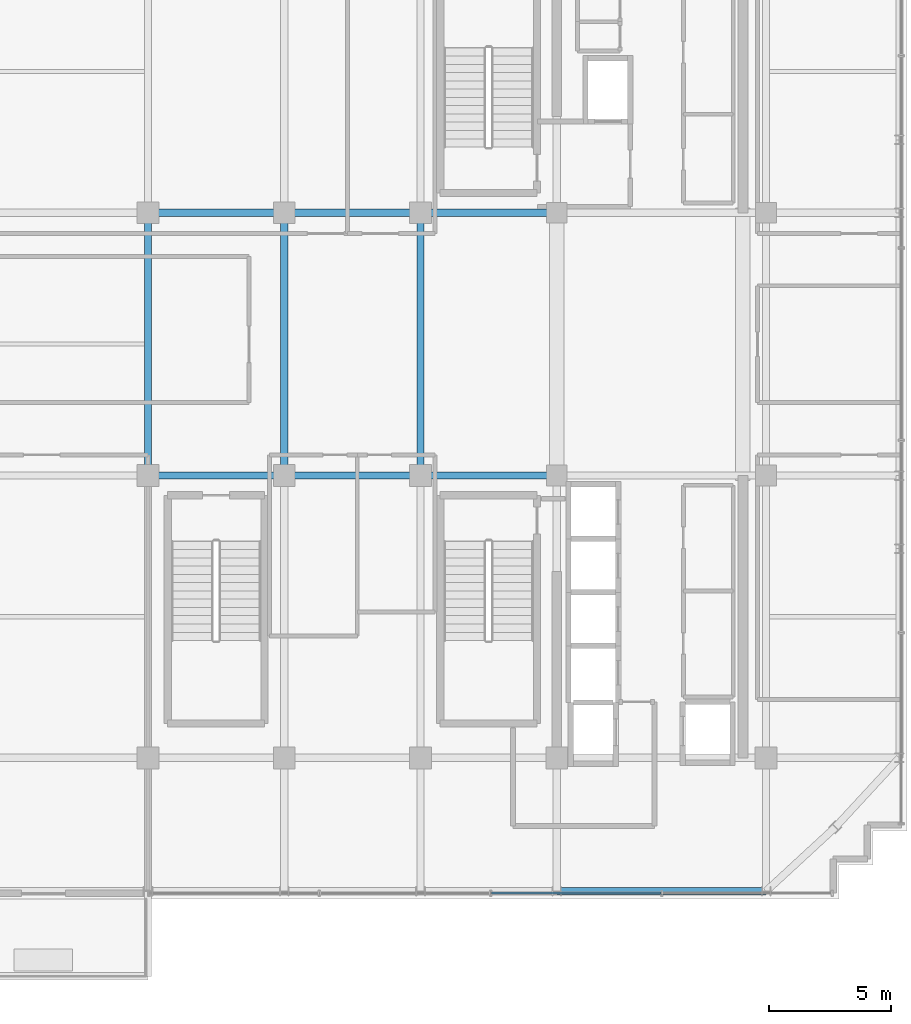
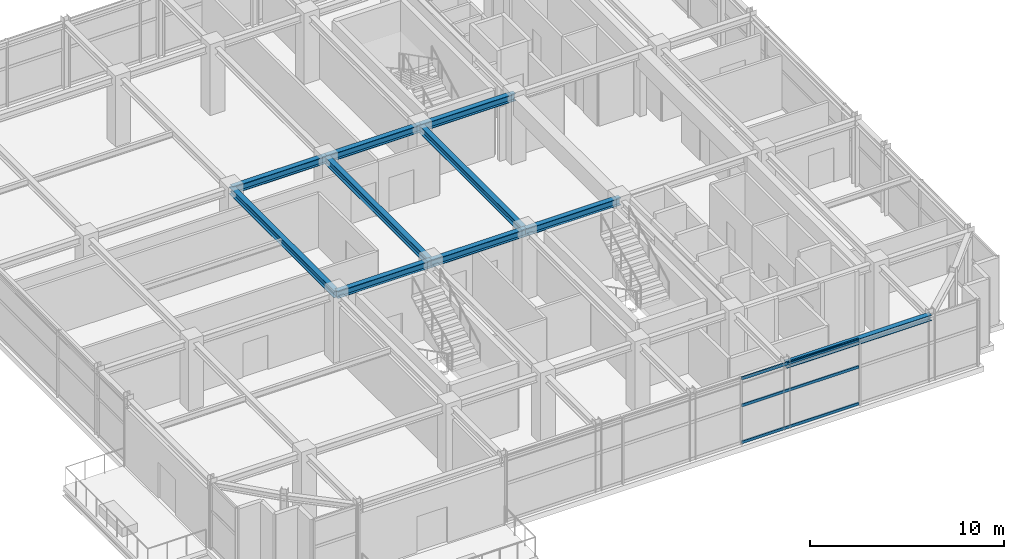
# One storey, part 9 of 25: 10 beams, 3 members, 1 element without a shape of its own.
"""IFC4 building model written with IfcOpenShell, lengths in metres."""

from ifc_helpers import new_model, si_unit, direction, frame, origin, origin_2d, place, context, subcontext, project, spatial, hollow_rectangle, i_section, extrude, source, transform, mapped, material, material_profile, profile_set, type_object, element, aggregate, save


model = new_model("IFC4")

# Units and contexts
model_context = context("Model", 3, precision=1e-05, world=origin(), true_north=direction((0.0, 1.0)))
body_context = subcontext(model_context, "Body", "Model", "MODEL_VIEW")
ifc_project = project(units=[si_unit("LENGTHUNIT", "METRE"), si_unit("AREAUNIT", "SQUARE_METRE"), si_unit("VOLUMEUNIT", "CUBIC_METRE"), si_unit("PLANEANGLEUNIT", "RADIAN"), si_unit("MASSUNIT", "GRAM", prefix="KILO")], contexts=[model_context])

# Site, building, storey
site_placement = place(None, origin())
site = spatial("IfcSite", under=ifc_project, at=site_placement, CompositionType="ELEMENT")
building_placement = place(site_placement, origin())
building = spatial("IfcBuilding", under=site, at=building_placement, Name="Nahalor Promenade Grand Hotel", CompositionType="ELEMENT")
storey_placement = place(building_placement, frame((0.0, 0.0, 338.550048828125)))
storey = spatial("IfcBuildingStorey", under=building, at=storey_placement, Name="L87", CompositionType="ELEMENT", Elevation=338.550048828125)

# Beams
ifc_material_1 = material(Name="Steel S355JR", Category="steel")
ifc_material_profile_1 = material_profile(ifc_material_1, i_section(OverallWidth=0.3, OverallDepth=0.45, WebThickness=0.014, FlangeThickness=0.026, at=origin_2d()), Name="HEB 450")
ifc_profile_set_1 = profile_set([ifc_material_profile_1], Name="Steel S355JR")
beam_type_1 = type_object("IfcBeamType", Name="Beam-Girder-HEB450", PredefinedType="BEAM", material=ifc_profile_set_1)
shared_shape_1 = source(origin(), body_context, "Body", "SweptSolid", [
    extrude(i_section(OverallWidth=0.3, OverallDepth=0.45, WebThickness=0.014, FlangeThickness=0.026, at=origin_2d()), origin(), (0.0, 0.0, 1.0), 5.599853515625),
])
for number, where, z_axis, x_axis, name in (
    (1, (-8.39990234375, -5.39990234375, 3.945068359375), (1.0, 0.0, 0.0), (0.0, 1.0, 0.0), "BM-L87-GX-1-2"),
    (2, (2.800048828125, -5.39990234375, 3.945068359375), (1.0, 0.0, 0.0), (0.0, 1.0, 0.0), "BM-L87-GX-1-4"),
    (3, (-8.39990234375, 5.39990234375, 3.945068359375), (1.0, 0.0, 0.0), (0.0, 1.0, 0.0), "BM-L87-GX-2-2"),
    (4, (2.800048828125, 5.39990234375, 3.945068359375), (1.0, 0.0, 0.0), (0.0, 1.0, 0.0), "BM-L87-GX-2-4"),
):
    element("IfcBeam", number, at=place(storey_placement, frame(where, z_axis=z_axis, x_axis=x_axis)), inside=storey, type_object=beam_type_1, Name=name, PredefinedType="BEAM", context=body_context, shape_type="MappedRepresentation", body=[
        mapped(shared_shape_1, transform((0.0, 0.0, 0.0), scale=1.0)),
    ])
shared_shape_2 = source(origin(), body_context, "Body", "SweptSolid", [
    extrude(i_section(OverallWidth=0.3, OverallDepth=0.45, WebThickness=0.014, FlangeThickness=0.026, at=origin_2d()), origin(), (0.0, 0.0, 1.0), 5.60009765625),
])
for number, where, z_axis, x_axis, name in (
    (5, (-2.800048828125, -5.39990234375, 3.945068359375), (1.0, 0.0, 0.0), (0.0, 1.0, 0.0), "BM-L87-GX-1-3"),
    (6, (-2.800048828125, 5.39990234375, 3.945068359375), (1.0, 0.0, 0.0), (0.0, 1.0, 0.0), "BM-L87-GX-2-3"),
):
    element("IfcBeam", number, at=place(storey_placement, frame(where, z_axis=z_axis, x_axis=x_axis)), inside=storey, type_object=beam_type_1, Name=name, PredefinedType="BEAM", context=body_context, shape_type="MappedRepresentation", body=[
        mapped(shared_shape_2, transform((0.0, 0.0, 0.0), scale=1.0)),
    ])
shared_shape_3 = source(origin(), body_context, "Body", "SweptSolid", [
    extrude(i_section(OverallWidth=0.3, OverallDepth=0.45, WebThickness=0.014, FlangeThickness=0.026, at=origin_2d()), origin(), (0.0, 0.0, 1.0), 10.7998046875),
])
for number, where, z_axis, x_axis, name in (
    (7, (-8.39990234375, -5.39990234375, 3.945068359375), (0.0, 1.0, 0.0), (-1.0, 0.0, 0.0), "BM-L87-GY-1-2"),
    (8, (-2.800048828125, -5.39990234375, 3.945068359375), (0.0, 1.0, 0.0), (-1.0, 0.0, 0.0), "BM-L87-GY-2-2"),
    (9, (2.800048828125, -5.39990234375, 3.945068359375), (0.0, 1.0, 0.0), (-1.0, 0.0, 0.0), "BM-L87-GY-3-2"),
):
    element("IfcBeam", number, at=place(storey_placement, frame(where, z_axis=z_axis, x_axis=x_axis)), inside=storey, type_object=beam_type_1, Name=name, PredefinedType="BEAM", context=body_context, shape_type="MappedRepresentation", body=[
        mapped(shared_shape_3, transform((0.0, 0.0, 0.0), scale=1.0)),
    ])
ifc_material_profile_2 = material_profile(ifc_material_1, i_section(OverallWidth=0.3, OverallDepth=0.36, WebThickness=0.0125, FlangeThickness=0.0225, at=origin_2d()), Name="HEB 360")
ifc_profile_set_2 = profile_set([ifc_material_profile_2], Name="Steel S355JR")
beam_type_2 = type_object("IfcBeamType", Name="Beam-Spandrel-HEB360", PredefinedType="SPANDREL", material=ifc_profile_set_2)
shared_shape_4 = source(origin(), body_context, "Body", "SweptSolid", [
    extrude(i_section(OverallWidth=0.3, OverallDepth=0.36, WebThickness=0.0125, FlangeThickness=0.0225, at=origin_2d()), origin(), (0.0, 0.0, 1.0), 8.60009765625),
])
beam_placement = place(storey_placement, frame((8.39990234375, -22.47998046875, 3.989990234375), z_axis=(1.0, 0.0, 0.0), x_axis=(0.0, 1.0, 0.0)))
element("IfcBeam", 10, at=beam_placement, inside=storey, type_object=beam_type_2, Name="BM-L87-SP-S-4", PredefinedType="SPANDREL", context=body_context, shape_type="MappedRepresentation", body=[
    mapped(shared_shape_4, transform((0.0, 0.0, 0.0), scale=1.0)),
])

# Curtain wall, members
ifc_material_2 = material(Name="Anodised Bronze Aluminium EN AW-6063 T6", Category="aluminium")
curtain_wall_type = type_object("IfcCurtainWallType", Name="CW5 Sky-Lobby & Observation Panoramic Curtain Wall", PredefinedType="USERDEFINED", material=ifc_material_2)
curtain_wall_placement = place(storey_placement, origin())
curtain_wall = element("IfcCurtainWall", 11, at=curtain_wall_placement, inside=storey, type_object=curtain_wall_type, Name="L87 Curtain Wall CW-L87-S-3", ObjectType="UNITISED_CURTAIN_WALL", PredefinedType="USERDEFINED")
ifc_material_profile_3 = material_profile(ifc_material_2, hollow_rectangle(XDim=0.085, YDim=0.17, WallThickness=0.005, at=origin_2d()), Name="CWT 85x170x5")
ifc_profile_set_3 = profile_set([ifc_material_profile_3], Name="Anodised Bronze Aluminium EN AW-6063 T6")
member_type = type_object("IfcMemberType", Name="CWT5 Panoramic Transom 85x170", PredefinedType="USERDEFINED", material=ifc_profile_set_3)
shared_shape_5 = source(origin(), body_context, "Body", "SweptSolid", [
    extrude(hollow_rectangle(XDim=0.085, YDim=0.17, WallThickness=0.005, at=origin_2d()), origin(), (0.0, 0.0, 1.0), 6.955078125),
])
member_1_placement = place(storey_placement, frame((5.722412109375, -22.56005859375, 0.0849609375), z_axis=(1.0, 0.0, 0.0), x_axis=(0.0, 1.0, 0.0)))
member_1 = element("IfcMember", 12, at=member_1_placement, type_object=member_type, Name="CW-L87-S-3 Transom 2-0", ObjectType="TRANSOM", PredefinedType="USERDEFINED", context=body_context, shape_type="MappedRepresentation", body=[
    mapped(shared_shape_5, transform((0.0, 0.0, 0.0), scale=1.0)),
])
member_2_placement = place(storey_placement, frame((5.722412109375, -22.56005859375, 2.39990234375), z_axis=(1.0, 0.0, 0.0), x_axis=(0.0, 1.0, 0.0)))
member_2 = element("IfcMember", 13, at=member_2_placement, type_object=member_type, Name="CW-L87-S-3 Transom 2-1", ObjectType="TRANSOM", PredefinedType="USERDEFINED", context=body_context, shape_type="MappedRepresentation", body=[
    mapped(shared_shape_5, transform((0.0, 0.0, 0.0), scale=1.0)),
])
member_3_placement = place(storey_placement, frame((5.722412109375, -22.56005859375, 4.0849609375), z_axis=(1.0, 0.0, 0.0), x_axis=(0.0, 1.0, 0.0)))
member_3 = element("IfcMember", 14, at=member_3_placement, type_object=member_type, Name="CW-L87-S-3 Transom 2-2", ObjectType="TRANSOM", PredefinedType="USERDEFINED", context=body_context, shape_type="MappedRepresentation", body=[
    mapped(shared_shape_5, transform((0.0, 0.0, 0.0), scale=1.0)),
])
aggregate(curtain_wall, [member_1, member_2, member_3])

save(model, "model.ifc")
